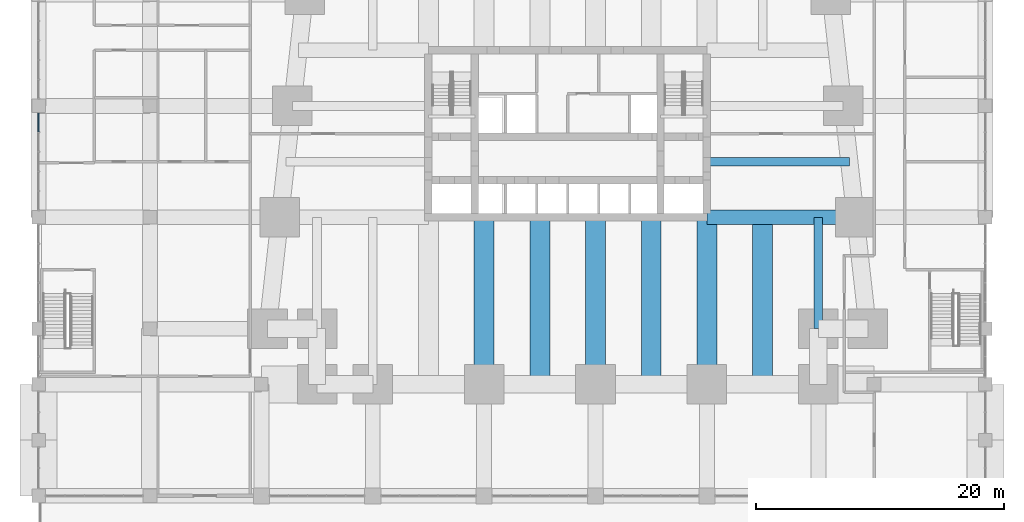
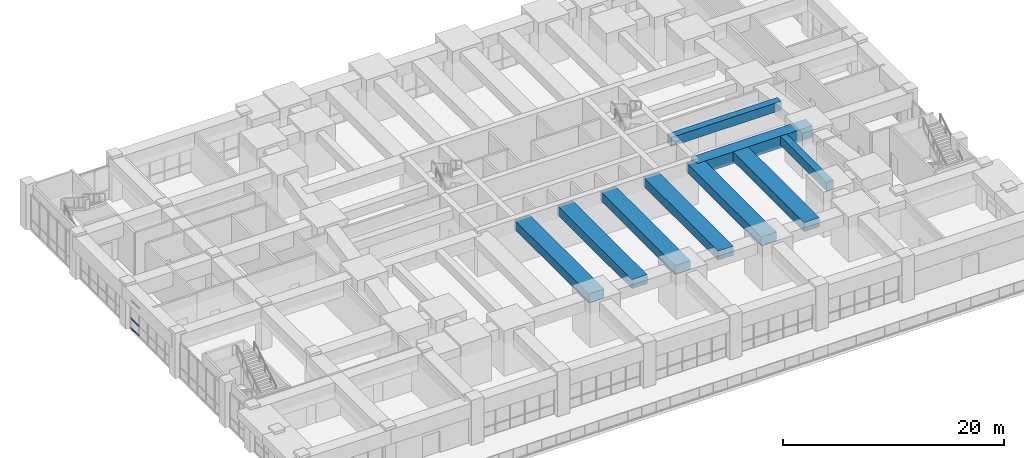
# One storey, part 7 of 27: 9 beams, 3 members, 1 element without a shape of its own.
"""IFC4 building model written with IfcOpenShell, lengths in metres."""

import ifcopenshell
import ifcopenshell.guid

model = None  # the IFC model being written
_history = None  # IfcOwnerHistory: only IFC2X3 demands one
_inside = {}  # id of a spatial element -> (the spatial element, [elements in it])
_under = {}  # id of a project, library or spatial element -> (it, [spatial elements below it])
_declared = {}  # id of a project -> (the project, [libraries it declares])
_typed = {}  # id of a type object -> (the type object, [elements of that type])
_made_of = {}  # id of a material, layer set ... -> (it, [elements and type objects made of it])


def new_model(schema):
    """Start an empty IFC model of exactly this schema.

    Asked for "IFC4X3", IfcOpenShell would pick the latest addendum, in which some entities
    have other attributes; the version numbers below select the first issue.
    IFC2X3 requires an IfcOwnerHistory on every rooted entity: one is made here for all.
    """
    global model, _history
    if schema == "IFC4X3":
        model = ifcopenshell.file(schema_version=(4, 3, 0, 0))
    else:
        model = ifcopenshell.file(schema=schema)
    _inside.clear()
    _under.clear()
    _declared.clear()
    _typed.clear()
    _made_of.clear()
    _history = None
    if model.schema == "IFC2X3":
        org = make("IfcOrganization", Name="unknown")
        user = make(
            "IfcPersonAndOrganization",
            ThePerson=make("IfcPerson", FamilyName="unknown"),
            TheOrganization=org,
        )
        app = make(
            "IfcApplication",
            ApplicationDeveloper=org,
            Version="unknown",
            ApplicationFullName="unknown",
            ApplicationIdentifier="unknown",
        )
        _history = make(
            "IfcOwnerHistory",
            OwningUser=user,
            OwningApplication=app,
            ChangeAction="ADDED",
            CreationDate=0,
        )
    return model


def make(cls, **values):
    """One entity of the class cls with the attributes given. An attribute that is None is left unset."""
    return model.create_entity(
        cls, **{name: value for name, value in values.items() if value is not None}
    )


def rooted(cls, **values):
    """An entity with a GlobalId (a new one), such as an element, a storey or a relation."""
    return make(cls, GlobalId=ifcopenshell.guid.new(), OwnerHistory=_history, **values)


def si_unit(unit_type, name, prefix=None):
    """IfcSIUnit, for example si_unit("LENGTHUNIT", "METRE", prefix="MILLI")."""
    return make("IfcSIUnit", UnitType=unit_type, Prefix=prefix, Name=name)


def assignment(units):
    """IfcUnitAssignment: the units of a project."""
    return None if units is None else make("IfcUnitAssignment", Units=units)


def point(xyz):
    """IfcCartesianPoint."""
    return None if xyz is None else make("IfcCartesianPoint", Coordinates=xyz)


def direction(xyz):
    """IfcDirection."""
    return None if xyz is None else make("IfcDirection", DirectionRatios=xyz)


def frame(location, z_axis=None, x_axis=None):
    """IfcAxis2Placement3D, a coordinate frame: its origin and axes. An axis left out is left unset."""
    return make(
        "IfcAxis2Placement3D",
        Location=point(location),
        Axis=direction(z_axis),
        RefDirection=direction(x_axis),
    )


def frame_2d(location, x_axis=None):
    """IfcAxis2Placement2D, a coordinate frame in the plane: its origin and x axis."""
    return make(
        "IfcAxis2Placement2D", Location=point(location), RefDirection=direction(x_axis)
    )


def origin():
    """The frame at (0, 0, 0) with its axes left unset."""
    return frame((0.0, 0.0, 0.0))


def origin_2d():
    """The frame at (0, 0) in the plane with its x axis left unset."""
    return frame_2d((0.0, 0.0))


def place(relative_to, where):
    """IfcLocalPlacement: puts the frame where relative to a parent placement (None: the world)."""
    return make(
        "IfcLocalPlacement", PlacementRelTo=relative_to, RelativePlacement=where
    )


def context(
    kind, dimensions, precision=None, world=None, true_north=None, identifier=None
):
    """IfcGeometricRepresentationContext, for example the 3D "Model" context."""
    return make(
        "IfcGeometricRepresentationContext",
        ContextIdentifier=identifier,
        ContextType=kind,
        CoordinateSpaceDimension=dimensions,
        Precision=precision,
        WorldCoordinateSystem=world,
        TrueNorth=true_north,
    )


def subcontext(parent, identifier, kind, view, scale=None):
    """IfcGeometricRepresentationSubContext, for example "Body" below "Model"."""
    return make(
        "IfcGeometricRepresentationSubContext",
        ContextIdentifier=identifier,
        ContextType=kind,
        ParentContext=parent,
        TargetScale=scale,
        TargetView=view,
    )


def project(units=None, contexts=None):
    """IfcProject with its units and contexts."""
    return rooted(
        "IfcProject",
        Name="project",
        RepresentationContexts=contexts,
        UnitsInContext=assignment(units),
    )


def spatial(cls, under=None, at=None, **own):
    """A site, building, storey or space (cls), placed at a placement, below another one or the project."""
    s = rooted(cls, ObjectPlacement=at, **own)
    if under is not None:
        _under.setdefault(under.id(), (under, []))[1].append(s)
    return s


def profile(cls, at=None, kind="AREA", **sizes):
    """A parametric profile (cls). Its sizes go by their IFC names, for example OverallWidth=200.0."""
    return make(cls, ProfileType=kind, Position=at, **sizes)


def rectangle(**sizes):
    """IfcRectangleProfileDef."""
    return profile("IfcRectangleProfileDef", **sizes)


def extrude(swept, where, along, depth):
    """IfcExtrudedAreaSolid: the profile swept, set in the frame where, extruded along a direction by depth."""
    return make(
        "IfcExtrudedAreaSolid",
        SweptArea=swept,
        Position=where,
        ExtrudedDirection=direction(along),
        Depth=depth,
    )


def shape(context_of_items, identifier, shape_type, items):
    """IfcShapeRepresentation: the items that make up one representation, for example the "Body"."""
    return make(
        "IfcShapeRepresentation",
        ContextOfItems=context_of_items,
        RepresentationIdentifier=identifier,
        RepresentationType=shape_type,
        Items=items,
    )


def material(Name=None, Category=None):
    """IfcMaterial."""
    return make("IfcMaterial", Name=Name, Category=Category)


def material_profile(
    of_material, cross_section, Name=None, Category=None, Priority=None
):
    """IfcMaterialProfile: a cross section and its material."""
    return make(
        "IfcMaterialProfile",
        Name=Name,
        Material=of_material,
        Profile=cross_section,
        Priority=Priority,
        Category=Category,
    )


def profile_set(profiles, Name=None, composite=None):
    """IfcMaterialProfileSet."""
    return make(
        "IfcMaterialProfileSet",
        Name=Name,
        MaterialProfiles=profiles,
        CompositeProfile=composite,
    )


def made_of(thing, what):
    """Note that an element or type object is made of a material, layer set ...; save() writes the relation."""
    if what is not None:
        _made_of.setdefault(what.id(), (what, []))[1].append(thing)
    return thing


def type_object(cls, material=None, **own):
    """A type object (cls), such as IfcWallType, which elements share."""
    return made_of(rooted(cls, **own), material)


def element(
    cls,
    number,
    at=None,
    inside=None,
    cuts=None,
    type_object=None,
    material=None,
    context=None,
    identifier="Body",
    shape_type=None,
    held_by="IfcProductDefinitionShape",
    body=None,
    shapes=None,
    **own,
):
    """One element of the class cls, such as IfcWall. Its Tag is "e" and its number.

    at: its placement. inside: the storey or other place that contains it. cuts: it is an
    opening in that element (IfcRelVoidsElement). A single representation is given by context,
    identifier, shape_type and body (its items); several are given by shapes. held_by: the class
    of the entity that holds the representations. save() writes the other relations.
    """
    e = rooted(cls, Tag="e%d" % number, ObjectPlacement=at, **own)
    if body is not None:
        shapes = [shape(context, identifier, shape_type, body)]
    if shapes is not None:
        e.Representation = make(held_by, Representations=shapes)
    if inside is not None:
        _inside.setdefault(inside.id(), (inside, []))[1].append(e)
    if cuts is not None:
        rooted(
            "IfcRelVoidsElement", RelatingBuildingElement=cuts, RelatedOpeningElement=e
        )
    if type_object is not None:
        _typed.setdefault(type_object.id(), (type_object, []))[1].append(e)
    return made_of(e, material)


def aggregate(whole, parts):
    """IfcRelAggregates: a whole, such as a stair, and the parts it consists of."""
    return rooted("IfcRelAggregates", RelatingObject=whole, RelatedObjects=parts)


def save(model, path):
    """Write the relations noted so far, then the file.

    IfcRelAggregates (storeys below a building ...), IfcRelContainedInSpatialStructure (elements
    in a storey), IfcRelDefinesByType, IfcRelAssociatesMaterial and IfcRelDeclares: one each for
    every whole, place, type object, material and project.
    """
    for whole, parts in _under.values():
        aggregate(whole, parts)
    for where, things in _inside.values():
        rooted(
            "IfcRelContainedInSpatialStructure",
            RelatedElements=things,
            RelatingStructure=where,
        )
    for kind, things in _typed.values():
        rooted("IfcRelDefinesByType", RelatedObjects=things, RelatingType=kind)
    for what, things in _made_of.values():
        rooted("IfcRelAssociatesMaterial", RelatedObjects=things, RelatingMaterial=what)
    for by, libraries in _declared.values():
        rooted("IfcRelDeclares", RelatingContext=by, RelatedDefinitions=libraries)
    model.write(path)


model = new_model("IFC4")

# Units and contexts
model_context = context("Model", 3, precision=1e-05, world=origin(), true_north=direction((0.0, 1.0)))
body_context = subcontext(model_context, "Body", "Model", "MODEL_VIEW")
ifc_project = project(units=[si_unit("LENGTHUNIT", "METRE"), si_unit("AREAUNIT", "SQUARE_METRE"), si_unit("VOLUMEUNIT", "CUBIC_METRE"), si_unit("PLANEANGLEUNIT", "RADIAN"), si_unit("MASSUNIT", "GRAM", prefix="KILO")], contexts=[model_context])

# Site, building, storey
site_placement = place(None, origin())
site = spatial("IfcSite", under=ifc_project, at=site_placement, CompositionType="ELEMENT")
building_placement = place(site_placement, origin())
building = spatial("IfcBuilding", under=site, at=building_placement, Name="Kilele Tower Hotel", CompositionType="ELEMENT")
storey_placement = place(building_placement, frame((0.0, 0.0, 6.0)))
storey = spatial("IfcBuildingStorey", under=building, at=storey_placement, Name="L01", CompositionType="ELEMENT", Elevation=6.0)

# Beams
ifc_material_1 = material(Name="Concrete C60/75", Category="concrete")
ifc_material_profile_1 = material_profile(ifc_material_1, rectangle(XDim=1.60009765625, YDim=1.0, at=origin_2d()))
ifc_profile_set_1 = profile_set([ifc_material_profile_1], Name="Concrete C60/75")
beam_type_1 = type_object("IfcBeamType", Name="Beam RC 1600x1000 C60/75", PredefinedType="BEAM", material=ifc_profile_set_1)
for number, where, z_axis, x_axis, name in (
    (1, (18.0, 0.0, 4.199951171875), (0.0, 1.0, 0.0), (-1.0, 0.0, 0.0), "Beam BC1 level L02"),
    (2, (22.5, 0.0, 4.199951171875), (0.0, 1.0, 0.0), (-1.0, 0.0, 0.0), "Beam BC1 level L02"),
    (3, (27.0, 0.0, 4.199951171875), (0.0, 1.0, 0.0), (-1.0, 0.0, 0.0), "Beam BC1 level L02"),
    (4, (31.5, 0.0, 4.199951171875), (0.0, 1.0, 0.0), (-1.0, 0.0, 0.0), "Beam BC1 level L02"),
    (5, (36.0, 0.0, 4.199951171875), (0.0, 1.0, 0.0), (-1.0, 0.0, 0.0), "Beam BC1 level L02"),
    (6, (40.5, 0.0, 4.199951171875), (0.0, 1.0, 0.0), (-1.0, 0.0, 0.0), "Beam BC1 level L02"),
):
    element("IfcBeam", number, at=place(storey_placement, frame(where, z_axis=z_axis, x_axis=x_axis)), inside=storey, type_object=beam_type_1, Name=name, PredefinedType="BEAM", context=body_context, shape_type="SweptSolid", body=[
        extrude(rectangle(XDim=1.60009765625, YDim=1.0, at=origin_2d()), origin(), (0.0, 0.0, 1.0), 13.5),
    ])
ifc_material_2 = material(Name="Concrete C60/75", Category="concrete")
ifc_material_profile_2 = material_profile(ifc_material_2, rectangle(XDim=0.699951171875, YDim=1.0, at=origin_2d()))
ifc_profile_set_2 = profile_set([ifc_material_profile_2], Name="Concrete C60/75")
beam_type_2 = type_object("IfcBeamType", Name="Beam RC 700x1000 C60/75 mid span", PredefinedType="BEAM", material=ifc_profile_set_2)
beam_1_placement = place(storey_placement, frame((45.0, 4.5, 4.199951171875), z_axis=(0.0, 1.0, 0.0), x_axis=(-1.0, 0.0, 0.0)))
element("IfcBeam", 7, at=beam_1_placement, inside=storey, type_object=beam_type_2, Name="Beam B5 level L02", PredefinedType="BEAM", context=body_context, shape_type="SweptSolid", body=[
    extrude(rectangle(XDim=0.699951171875, YDim=1.0, at=origin_2d()), origin(), (0.0, 0.0, 1.0), 9.0),
])
beam_2_placement = place(storey_placement, frame((47.5, 18.0, 4.199951171875), z_axis=(-1.0, 0.0, 0.0), x_axis=(0.0, -1.0, 0.0)))
element("IfcBeam", 8, at=beam_2_placement, inside=storey, type_object=beam_type_2, Name="Beam B5 level L02", PredefinedType="BEAM", context=body_context, shape_type="SweptSolid", body=[
    extrude(rectangle(XDim=0.699951171875, YDim=1.0, at=origin_2d()), origin(), (0.0, 0.0, 1.0), 11.5),
])
ifc_material_3 = material(Name="Concrete C60/75", Category="concrete")
ifc_material_profile_3 = material_profile(ifc_material_3, rectangle(XDim=1.199951171875, YDim=1.300048828125, at=origin_2d()))
ifc_profile_set_3 = profile_set([ifc_material_profile_3], Name="Concrete C60/75")
beam_type_3 = type_object("IfcBeamType", Name="Girder RC 1200x1300 C60/75", PredefinedType="BEAM", material=ifc_profile_set_3)
beam_3_placement = place(storey_placement, frame((48.0, 13.5, 4.050048828125), z_axis=(-1.0, 0.0, 0.0), x_axis=(0.0, -1.0, 0.0)))
element("IfcBeam", 9, at=beam_3_placement, inside=storey, type_object=beam_type_3, Name="Girder G1 level L02", PredefinedType="BEAM", context=body_context, shape_type="SweptSolid", body=[
    extrude(rectangle(XDim=1.199951171875, YDim=1.300048828125, at=origin_2d()), origin(), (0.0, 0.0, 1.0), 12.0),
])

# Curtain wall, members
ifc_material_4 = material(Name="Aluminium curtain wall, clear double glazing", Category="aluminium")
curtain_wall_type = type_object("IfcCurtainWallType", Name="Podium side curtain wall CW-2", PredefinedType="NOTDEFINED", material=ifc_material_4)
curtain_wall_placement = place(storey_placement, origin())
curtain_wall = element("IfcCurtainWall", 10, at=curtain_wall_placement, inside=storey, type_object=curtain_wall_type, Name="Podium side curtain wall CW-2 L01", PredefinedType="NOTDEFINED")
ifc_material_5 = material(Name="Aluminium EN AW-6063 T6", Category="aluminium")
ifc_material_profile_4 = material_profile(ifc_material_5, rectangle(XDim=0.1201171875, YDim=0.06005859375, at=origin_2d()))
ifc_profile_set_4 = profile_set([ifc_material_profile_4], Name="Aluminium EN AW-6063 T6")
member_type = type_object("IfcMemberType", Name="Transom 60x120 CW-2", PredefinedType="USERDEFINED", material=ifc_profile_set_4)
member_1_placement = place(storey_placement, frame((-18.0, 21.889892578125, 0.030029296875), z_axis=(0.0, -1.0, 0.0), x_axis=(1.0, 0.0, 0.0)))
member_1 = element("IfcMember", 11, at=member_1_placement, type_object=member_type, Name="CW-2 transom 1.1", ObjectType="TRANSOM", PredefinedType="USERDEFINED", context=body_context, shape_type="SweptSolid", body=[
    extrude(rectangle(XDim=0.1201171875, YDim=0.06005859375, at=origin_2d()), origin(), (0.0, 0.0, 1.0), 1.489990234375),
])
member_2_placement = place(storey_placement, frame((-18.0, 21.889892578125, 1.10009765625), z_axis=(0.0, -1.0, 0.0), x_axis=(1.0, 0.0, 0.0)))
member_2 = element("IfcMember", 12, at=member_2_placement, type_object=member_type, Name="CW-2 transom 1.2", ObjectType="TRANSOM", PredefinedType="USERDEFINED", context=body_context, shape_type="SweptSolid", body=[
    extrude(rectangle(XDim=0.1201171875, YDim=0.06005859375, at=origin_2d()), origin(), (0.0, 0.0, 1.0), 1.489990234375),
])
member_3_placement = place(storey_placement, frame((-18.0, 21.889892578125, 3.070068359375), z_axis=(0.0, -1.0, 0.0), x_axis=(1.0, 0.0, 0.0)))
member_3 = element("IfcMember", 13, at=member_3_placement, type_object=member_type, Name="CW-2 transom 1.3", ObjectType="TRANSOM", PredefinedType="USERDEFINED", context=body_context, shape_type="SweptSolid", body=[
    extrude(rectangle(XDim=0.1201171875, YDim=0.06005859375, at=origin_2d()), origin(), (0.0, 0.0, 1.0), 1.489990234375),
])
aggregate(curtain_wall, [member_1, member_2, member_3])

save(model, "model.ifc")
